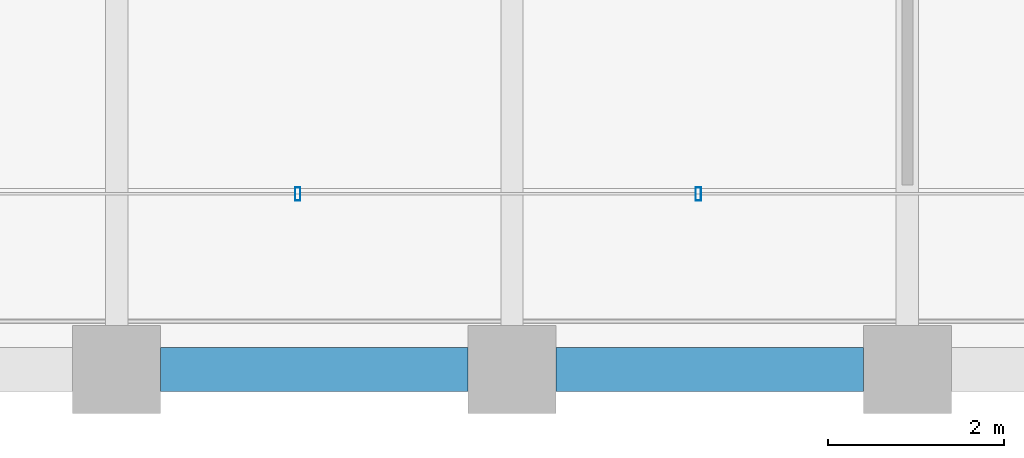
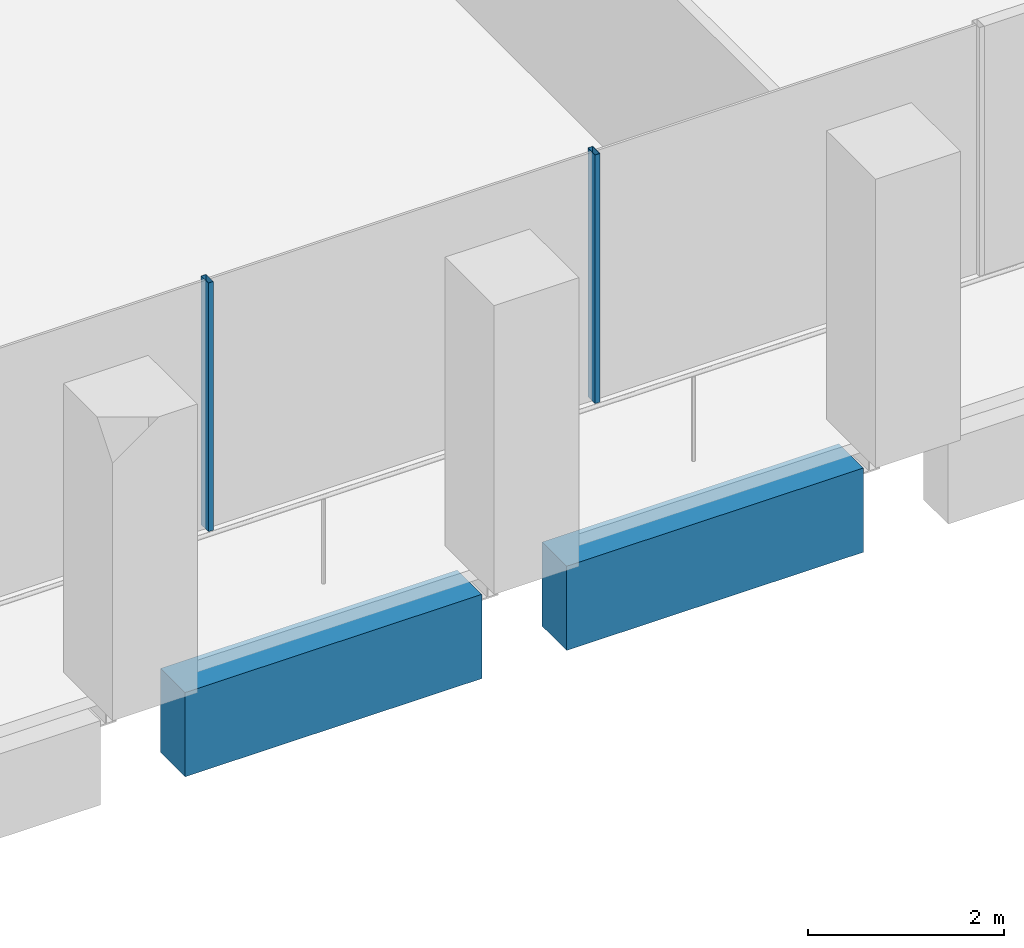
# One storey, part 3 of 47: 2 beams, 2 members, 1 element without a shape of its own.
"""IFC4 building model written with IfcOpenShell, lengths in metres."""

from ifc_helpers import new_model, si_unit, direction, frame, origin, origin_2d, place, context, subcontext, project, spatial, rectangle, hollow_rectangle, extrude, material, material_profile, profile_set, type_object, element, aggregate, save


model = new_model("IFC4")

# Units and contexts
model_context = context("Model", 3, precision=1e-05, world=origin(), true_north=direction((0.0, 1.0)))
body_context = subcontext(model_context, "Body", "Model", "MODEL_VIEW")
ifc_project = project(units=[si_unit("LENGTHUNIT", "METRE"), si_unit("AREAUNIT", "SQUARE_METRE"), si_unit("VOLUMEUNIT", "CUBIC_METRE"), si_unit("PLANEANGLEUNIT", "RADIAN"), si_unit("MASSUNIT", "GRAM", prefix="KILO")], contexts=[model_context])

# Site, building, storey
site_placement = place(None, origin())
site = spatial("IfcSite", under=ifc_project, at=site_placement, CompositionType="ELEMENT")
building_placement = place(site_placement, origin())
building = spatial("IfcBuilding", under=site, at=building_placement, Name="Altepetl Exchange Towers", CompositionType="ELEMENT")
storey_placement = place(building_placement, frame((0.0, 0.0, 99.199951171875)))
storey = spatial("IfcBuildingStorey", under=building, at=storey_placement, Name="L24", CompositionType="ELEMENT", Elevation=99.199951171875)

# Curtain wall, members
ifc_material_1 = material(Name="Aluminium 6063-T6 glazing", Category="aluminium")
curtain_wall_type = type_object("IfcCurtainWallType", Name="Loggia glazing system", PredefinedType="NOTDEFINED", material=ifc_material_1)
curtain_wall_placement = place(storey_placement, origin())
curtain_wall = element("IfcCurtainWall", 1, at=curtain_wall_placement, inside=storey, type_object=curtain_wall_type, Name="CW1 run", PredefinedType="NOTDEFINED")
ifc_material_2 = material(Name="Aluminium 6063-T6", Category="aluminium")
ifc_material_profile_1 = material_profile(ifc_material_2, hollow_rectangle(XDim=0.06005859375, YDim=0.14990234375, WallThickness=0.0029296875, at=origin_2d()), Name="Mullion 60x150 aluminium")
ifc_profile_set_1 = profile_set([ifc_material_profile_1], Name="Aluminium 6063-T6")
member_type = type_object("IfcMemberType", Name="Mullion 60x150 aluminium", PredefinedType="MULLION", material=ifc_profile_set_1)
member_1_placement = place(storey_placement, frame((38.060791015625, 29.0, 0.0)))
member_1 = element("IfcMember", 2, at=member_1_placement, type_object=member_type, Name="MU1 mullion", PredefinedType="MULLION", context=body_context, shape_type="SweptSolid", body=[
    extrude(hollow_rectangle(XDim=0.06005859375, YDim=0.14990234375, WallThickness=0.0029296875, at=origin_2d()), origin(), (0.0, 0.0, 1.0), 3.10009765625),
])
member_2_placement = place(storey_placement, frame((42.621337890625, 29.0, 0.0)))
member_2 = element("IfcMember", 3, at=member_2_placement, type_object=member_type, Name="MU1 mullion", PredefinedType="MULLION", context=body_context, shape_type="SweptSolid", body=[
    extrude(hollow_rectangle(XDim=0.06005859375, YDim=0.14990234375, WallThickness=0.0029296875, at=origin_2d()), origin(), (0.0, 0.0, 1.0), 3.10009765625),
])
aggregate(curtain_wall, [member_1, member_2])

# Beams
ifc_material_3 = material(Name="Concrete C50/60 precast with cantera blanca facing", Category="concrete")
ifc_material_profile_2 = material_profile(ifc_material_3, rectangle(XDim=0.5, YDim=1.050048828125, at=origin_2d()), Name="500 x 1050")
ifc_profile_set_2 = profile_set([ifc_material_profile_2], Name="Concrete C50/60 precast with cantera blanca facing")
beam_type = type_object("IfcBeamType", Name="Spandrel beam 500x1050 cantera blanca", PredefinedType="SPANDREL", material=ifc_profile_set_2)
for number, where, z_axis, x_axis, name in (
    (4, (36.5, 27.0, -0.675048828125), (1.0, 0.0, 0.0), (0.0, 1.0, 0.0), "sp:A:L24:001"),
    (5, (41.0, 27.0, -0.675048828125), (1.0, 0.0, 0.0), (0.0, 1.0, 0.0), "sp:A:L24:002"),
):
    element("IfcBeam", number, at=place(storey_placement, frame(where, z_axis=z_axis, x_axis=x_axis)), inside=storey, type_object=beam_type, Name=name, PredefinedType="SPANDREL", context=body_context, shape_type="SweptSolid", body=[
        extrude(rectangle(XDim=0.5, YDim=1.050048828125, at=origin_2d()), origin(), (0.0, 0.0, 1.0), 3.5),
    ])

save(model, "model.ifc")
